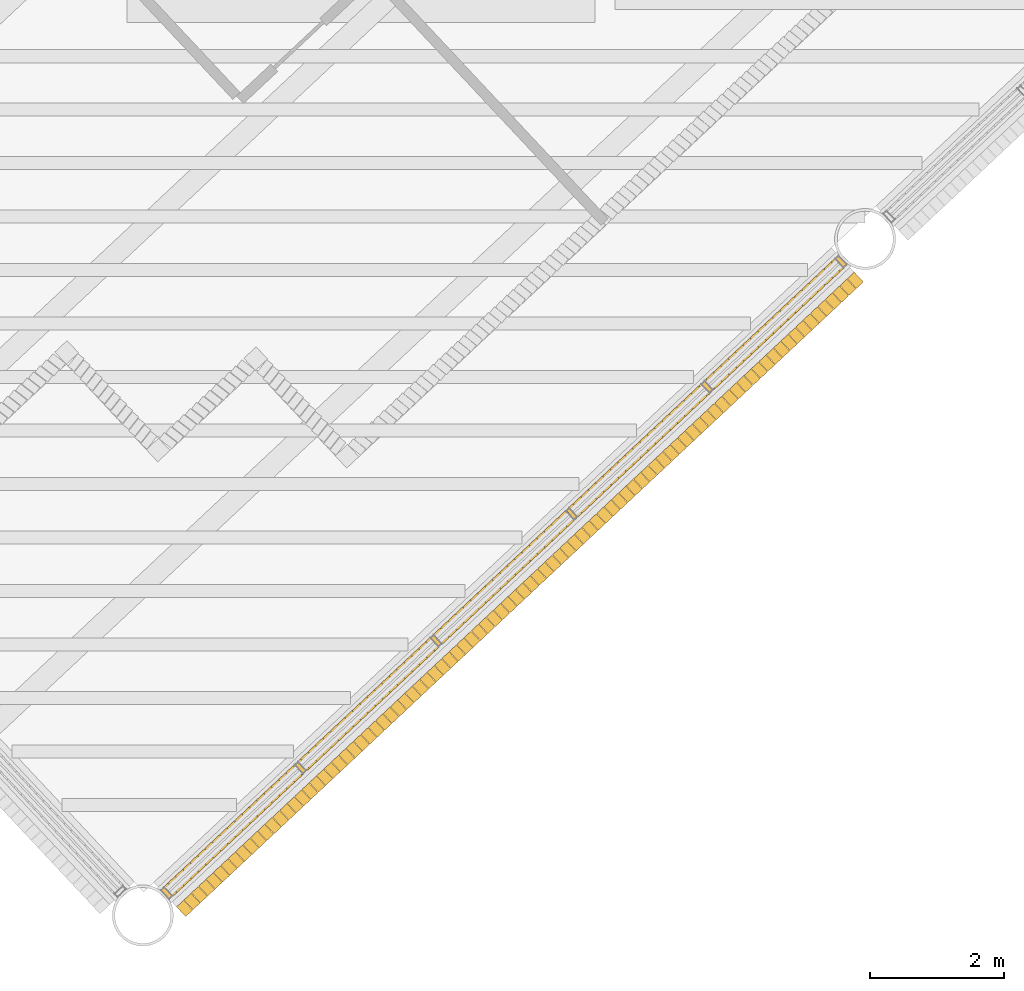
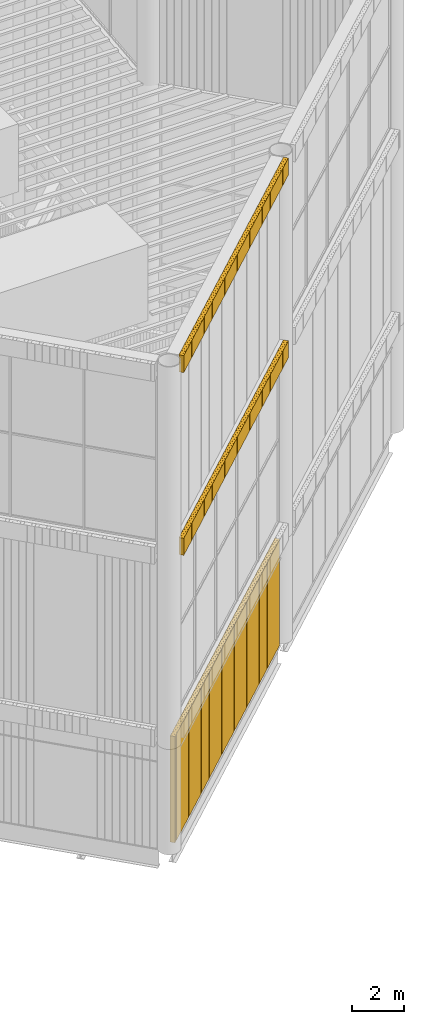
# One storey, part 97 of 117: 3 coverings.
"""IFC4 building model written with IfcOpenShell, lengths in metres."""

from ifc_helpers import new_model, si_unit, direction, frame, frame_2d, origin, place, context, subcontext, project, spatial, rectangle, composite_profile, extrude, material, type_object, element, save


model = new_model("IFC4")

# Units and contexts
model_context = context("Model", 3, precision=1e-05, world=origin(), true_north=direction((0.0, 1.0)))
body_context = subcontext(model_context, "Body", "Model", "MODEL_VIEW")
ifc_project = project(units=[si_unit("LENGTHUNIT", "METRE"), si_unit("AREAUNIT", "SQUARE_METRE"), si_unit("VOLUMEUNIT", "CUBIC_METRE"), si_unit("PLANEANGLEUNIT", "RADIAN"), si_unit("MASSUNIT", "GRAM", prefix="KILO")], contexts=[model_context])

# Site, building, storey
site_placement = place(None, origin())
site = spatial("IfcSite", under=ifc_project, at=site_placement, CompositionType="ELEMENT")
building_placement = place(site_placement, origin())
building = spatial("IfcBuilding", under=site, at=building_placement, Name="Tarsis Ring Headquarters", CompositionType="ELEMENT")
storey_placement = place(building_placement, frame((0.0, 0.0, 403.60009765625)))
storey = spatial("IfcBuildingStorey", under=building, at=storey_placement, Name="L95", CompositionType="ELEMENT", Elevation=403.60009765625)

# Coverings
ifc_material = material(Name="Terracotta louvre", Category="masonry")
covering_type = type_object("IfcCoveringType", Name="Crown louvre fin", PredefinedType="CLADDING", material=ifc_material)
covering_1_placement = place(storey_placement, frame((13.3173828125, -35.205078125, 0.0), z_axis=(0.0, 0.0, 1.0), x_axis=(0.729925980625, 0.683527612216, 0.0)))
element("IfcCovering", 1, at=covering_1_placement, inside=storey, type_object=covering_type, Name="Crown louvre base 3", PredefinedType="CLADDING", context=body_context, shape_type="SweptSolid", body=[
    extrude(composite_profile([rectangle(XDim=0.14501953125, YDim=0.199951171875, at=frame_2d((0.072509765625, 0.0))), rectangle(XDim=0.14501953125, YDim=0.199951171875, at=frame_2d((0.223388671875, 0.0))), rectangle(XDim=0.14501953125, YDim=0.199951171875, at=frame_2d((0.37451171875, 0.0))), rectangle(XDim=0.14501953125, YDim=0.199951171875, at=frame_2d((0.525390625, 0.0))), rectangle(XDim=0.14501953125, YDim=0.199951171875, at=frame_2d((0.676513671875, 0.0))), rectangle(XDim=0.14501953125, YDim=0.199951171875, at=frame_2d((0.827392578125, 0.0))), rectangle(XDim=0.14501953125, YDim=0.199951171875, at=frame_2d((0.978515625, 0.0))), rectangle(XDim=0.14501953125, YDim=0.199951171875, at=frame_2d((1.12939453125, 0.0))), rectangle(XDim=0.14501953125, YDim=0.199951171875, at=frame_2d((1.280517578125, 0.0))), rectangle(XDim=0.14501953125, YDim=0.199951171875, at=frame_2d((1.431396484375, 0.0))), rectangle(XDim=0.14501953125, YDim=0.199951171875, at=frame_2d((1.58251953125, 0.0))), rectangle(XDim=0.14501953125, YDim=0.199951171875, at=frame_2d((1.7333984375, 0.0))), rectangle(XDim=0.14501953125, YDim=0.199951171875, at=frame_2d((1.884521484375, 0.0))), rectangle(XDim=0.14501953125, YDim=0.199951171875, at=frame_2d((2.035400390625, 0.0))), rectangle(XDim=0.14501953125, YDim=0.199951171875, at=frame_2d((2.1865234375, 0.0))), rectangle(XDim=0.14501953125, YDim=0.199951171875, at=frame_2d((2.33740234375, 0.0))), rectangle(XDim=0.14501953125, YDim=0.199951171875, at=frame_2d((2.488525390625, 0.0))), rectangle(XDim=0.14501953125, YDim=0.199951171875, at=frame_2d((2.639404296875, 0.0))), rectangle(XDim=0.14501953125, YDim=0.199951171875, at=frame_2d((2.79052734375, 0.0))), rectangle(XDim=0.14501953125, YDim=0.199951171875, at=frame_2d((2.94140625, 0.0))), rectangle(XDim=0.14501953125, YDim=0.199951171875, at=frame_2d((3.092529296875, 0.0))), rectangle(XDim=0.14501953125, YDim=0.199951171875, at=frame_2d((3.243408203125, 0.0))), rectangle(XDim=0.14501953125, YDim=0.199951171875, at=frame_2d((3.39453125, 0.0))), rectangle(XDim=0.14501953125, YDim=0.199951171875, at=frame_2d((3.54541015625, 0.0))), rectangle(XDim=0.14501953125, YDim=0.199951171875, at=frame_2d((3.696533203125, 0.0))), rectangle(XDim=0.14501953125, YDim=0.199951171875, at=frame_2d((3.847412109375, 0.0))), rectangle(XDim=0.14501953125, YDim=0.199951171875, at=frame_2d((3.99853515625, 0.0))), rectangle(XDim=0.14501953125, YDim=0.199951171875, at=frame_2d((4.1494140625, 0.0))), rectangle(XDim=0.14501953125, YDim=0.199951171875, at=frame_2d((4.300537109375, 0.0))), rectangle(XDim=0.14501953125, YDim=0.199951171875, at=frame_2d((4.451416015625, 0.0))), rectangle(XDim=0.14501953125, YDim=0.199951171875, at=frame_2d((4.6025390625, 0.0))), rectangle(XDim=0.14501953125, YDim=0.199951171875, at=frame_2d((4.75341796875, 0.0))), rectangle(XDim=0.14501953125, YDim=0.199951171875, at=frame_2d((4.904541015625, 0.0))), rectangle(XDim=0.14501953125, YDim=0.199951171875, at=frame_2d((5.055419921875, 0.0))), rectangle(XDim=0.14501953125, YDim=0.199951171875, at=frame_2d((5.20654296875, 0.0))), rectangle(XDim=0.14501953125, YDim=0.199951171875, at=frame_2d((5.357421875, 0.0))), rectangle(XDim=0.14501953125, YDim=0.199951171875, at=frame_2d((5.508544921875, 0.0))), rectangle(XDim=0.14501953125, YDim=0.199951171875, at=frame_2d((5.659423828125, 0.0))), rectangle(XDim=0.14501953125, YDim=0.199951171875, at=frame_2d((5.810546875, 0.0))), rectangle(XDim=0.14501953125, YDim=0.199951171875, at=frame_2d((5.96142578125, 0.0))), rectangle(XDim=0.14501953125, YDim=0.199951171875, at=frame_2d((6.112548828125, 0.0))), rectangle(XDim=0.14501953125, YDim=0.199951171875, at=frame_2d((6.263427734375, 0.0))), rectangle(XDim=0.14501953125, YDim=0.199951171875, at=frame_2d((6.41455078125, 0.0))), rectangle(XDim=0.14501953125, YDim=0.199951171875, at=frame_2d((6.5654296875, 0.0))), rectangle(XDim=0.14501953125, YDim=0.199951171875, at=frame_2d((6.716552734375, 0.0))), rectangle(XDim=0.14501953125, YDim=0.199951171875, at=frame_2d((6.867431640625, 0.0))), rectangle(XDim=0.14501953125, YDim=0.199951171875, at=frame_2d((7.0185546875, 0.0))), rectangle(XDim=0.14501953125, YDim=0.199951171875, at=frame_2d((7.16943359375, 0.0))), rectangle(XDim=0.14501953125, YDim=0.199951171875, at=frame_2d((7.320556640625, 0.0))), rectangle(XDim=0.14501953125, YDim=0.199951171875, at=frame_2d((7.471435546875, 0.0))), rectangle(XDim=0.14501953125, YDim=0.199951171875, at=frame_2d((7.62255859375, 0.0))), rectangle(XDim=0.14501953125, YDim=0.199951171875, at=frame_2d((7.7734375, 0.0))), rectangle(XDim=0.14501953125, YDim=0.199951171875, at=frame_2d((7.924560546875, 0.0))), rectangle(XDim=0.14501953125, YDim=0.199951171875, at=frame_2d((8.075439453125, 0.0))), rectangle(XDim=0.14501953125, YDim=0.199951171875, at=frame_2d((8.2265625, 0.0))), rectangle(XDim=0.14501953125, YDim=0.199951171875, at=frame_2d((8.37744140625, 0.0))), rectangle(XDim=0.14501953125, YDim=0.199951171875, at=frame_2d((8.528564453125, 0.0))), rectangle(XDim=0.14501953125, YDim=0.199951171875, at=frame_2d((8.679443359375, 0.0))), rectangle(XDim=0.14501953125, YDim=0.199951171875, at=frame_2d((8.83056640625, 0.0))), rectangle(XDim=0.14501953125, YDim=0.199951171875, at=frame_2d((8.9814453125, 0.0))), rectangle(XDim=0.14501953125, YDim=0.199951171875, at=frame_2d((9.132568359375, 0.0))), rectangle(XDim=0.14501953125, YDim=0.199951171875, at=frame_2d((9.283447265625, 0.0))), rectangle(XDim=0.14501953125, YDim=0.199951171875, at=frame_2d((9.4345703125, 0.0))), rectangle(XDim=0.14501953125, YDim=0.199951171875, at=frame_2d((9.58544921875, 0.0))), rectangle(XDim=0.14501953125, YDim=0.199951171875, at=frame_2d((9.736572265625, 0.0))), rectangle(XDim=0.14501953125, YDim=0.199951171875, at=frame_2d((9.887451171875, 0.0))), rectangle(XDim=0.14501953125, YDim=0.199951171875, at=frame_2d((10.03857421875, 0.0))), rectangle(XDim=0.14501953125, YDim=0.199951171875, at=frame_2d((10.189453125, 0.0))), rectangle(XDim=0.14501953125, YDim=0.199951171875, at=frame_2d((10.340576171875, 0.0))), rectangle(XDim=0.14501953125, YDim=0.199951171875, at=frame_2d((10.491455078125, 0.0))), rectangle(XDim=0.14501953125, YDim=0.199951171875, at=frame_2d((10.642578125, 0.0))), rectangle(XDim=0.14501953125, YDim=0.199951171875, at=frame_2d((10.79345703125, 0.0))), rectangle(XDim=0.14501953125, YDim=0.199951171875, at=frame_2d((10.944580078125, 0.0))), rectangle(XDim=0.14501953125, YDim=0.199951171875, at=frame_2d((11.095458984375, 0.0))), rectangle(XDim=0.14501953125, YDim=0.199951171875, at=frame_2d((11.24658203125, 0.0))), rectangle(XDim=0.14501953125, YDim=0.199951171875, at=frame_2d((11.3974609375, 0.0))), rectangle(XDim=0.14501953125, YDim=0.199951171875, at=frame_2d((11.548583984375, 0.0))), rectangle(XDim=0.14501953125, YDim=0.199951171875, at=frame_2d((11.699462890625, 0.0))), rectangle(XDim=0.14501953125, YDim=0.199951171875, at=frame_2d((11.8505859375, 0.0))), rectangle(XDim=0.14501953125, YDim=0.199951171875, at=frame_2d((12.00146484375, 0.0))), rectangle(XDim=0.14501953125, YDim=0.199951171875, at=frame_2d((12.152587890625, 0.0))), rectangle(XDim=0.14501953125, YDim=0.199951171875, at=frame_2d((12.303466796875, 0.0))), rectangle(XDim=0.14501953125, YDim=0.199951171875, at=frame_2d((12.45458984375, 0.0))), rectangle(XDim=0.14501953125, YDim=0.199951171875, at=frame_2d((12.60546875, 0.0))), rectangle(XDim=0.14501953125, YDim=0.199951171875, at=frame_2d((12.756591796875, 0.0))), rectangle(XDim=0.14501953125, YDim=0.199951171875, at=frame_2d((12.907470703125, 0.0))), rectangle(XDim=0.14501953125, YDim=0.199951171875, at=frame_2d((13.05859375, 0.0))), rectangle(XDim=0.14501953125, YDim=0.199951171875, at=frame_2d((13.20947265625, 0.0))), rectangle(XDim=0.14501953125, YDim=0.199951171875, at=frame_2d((13.360595703125, 0.0))), rectangle(XDim=0.14501953125, YDim=0.199951171875, at=frame_2d((13.511474609375, 0.0))), rectangle(XDim=0.14501953125, YDim=0.199951171875, at=frame_2d((13.66259765625, 0.0))), rectangle(XDim=0.14501953125, YDim=0.199951171875, at=frame_2d((13.8134765625, 0.0)))]), origin(), (0.0, 0.0, 1.0), 5.0),
])
covering_2_placement = place(storey_placement, frame((13.556640625, -35.460693359375, 13.599853515625), z_axis=(0.0, 0.0, 1.0), x_axis=(0.729925980625, 0.683527612216, 0.0)))
element("IfcCovering", 2, at=covering_2_placement, inside=storey, type_object=covering_type, Name="Crown louvre fascia M3", PredefinedType="CLADDING", context=body_context, shape_type="SweptSolid", body=[
    extrude(composite_profile([rectangle(XDim=0.14501953125, YDim=0.199951171875, at=frame_2d((0.072509765625, 0.0))), rectangle(XDim=0.14501953125, YDim=0.199951171875, at=frame_2d((0.223388671875, 0.0))), rectangle(XDim=0.14501953125, YDim=0.199951171875, at=frame_2d((0.37451171875, 0.0))), rectangle(XDim=0.14501953125, YDim=0.199951171875, at=frame_2d((0.525390625, 0.0))), rectangle(XDim=0.14501953125, YDim=0.199951171875, at=frame_2d((0.676513671875, 0.0))), rectangle(XDim=0.14501953125, YDim=0.199951171875, at=frame_2d((0.827392578125, 0.0))), rectangle(XDim=0.14501953125, YDim=0.199951171875, at=frame_2d((0.978515625, 0.0))), rectangle(XDim=0.14501953125, YDim=0.199951171875, at=frame_2d((1.12939453125, 0.0))), rectangle(XDim=0.14501953125, YDim=0.199951171875, at=frame_2d((1.280517578125, 0.0))), rectangle(XDim=0.14501953125, YDim=0.199951171875, at=frame_2d((1.431396484375, 0.0))), rectangle(XDim=0.14501953125, YDim=0.199951171875, at=frame_2d((1.58251953125, 0.0))), rectangle(XDim=0.14501953125, YDim=0.199951171875, at=frame_2d((1.7333984375, 0.0))), rectangle(XDim=0.14501953125, YDim=0.199951171875, at=frame_2d((1.884521484375, 0.0))), rectangle(XDim=0.14501953125, YDim=0.199951171875, at=frame_2d((2.035400390625, 0.0))), rectangle(XDim=0.14501953125, YDim=0.199951171875, at=frame_2d((2.1865234375, 0.0))), rectangle(XDim=0.14501953125, YDim=0.199951171875, at=frame_2d((2.33740234375, 0.0))), rectangle(XDim=0.14501953125, YDim=0.199951171875, at=frame_2d((2.488525390625, 0.0))), rectangle(XDim=0.14501953125, YDim=0.199951171875, at=frame_2d((2.639404296875, 0.0))), rectangle(XDim=0.14501953125, YDim=0.199951171875, at=frame_2d((2.79052734375, 0.0))), rectangle(XDim=0.14501953125, YDim=0.199951171875, at=frame_2d((2.94140625, 0.0))), rectangle(XDim=0.14501953125, YDim=0.199951171875, at=frame_2d((3.092529296875, 0.0))), rectangle(XDim=0.14501953125, YDim=0.199951171875, at=frame_2d((3.243408203125, 0.0))), rectangle(XDim=0.14501953125, YDim=0.199951171875, at=frame_2d((3.39453125, 0.0))), rectangle(XDim=0.14501953125, YDim=0.199951171875, at=frame_2d((3.54541015625, 0.0))), rectangle(XDim=0.14501953125, YDim=0.199951171875, at=frame_2d((3.696533203125, 0.0))), rectangle(XDim=0.14501953125, YDim=0.199951171875, at=frame_2d((3.847412109375, 0.0))), rectangle(XDim=0.14501953125, YDim=0.199951171875, at=frame_2d((3.99853515625, 0.0))), rectangle(XDim=0.14501953125, YDim=0.199951171875, at=frame_2d((4.1494140625, 0.0))), rectangle(XDim=0.14501953125, YDim=0.199951171875, at=frame_2d((4.300537109375, 0.0))), rectangle(XDim=0.14501953125, YDim=0.199951171875, at=frame_2d((4.451416015625, 0.0))), rectangle(XDim=0.14501953125, YDim=0.199951171875, at=frame_2d((4.6025390625, 0.0))), rectangle(XDim=0.14501953125, YDim=0.199951171875, at=frame_2d((4.75341796875, 0.0))), rectangle(XDim=0.14501953125, YDim=0.199951171875, at=frame_2d((4.904541015625, 0.0))), rectangle(XDim=0.14501953125, YDim=0.199951171875, at=frame_2d((5.055419921875, 0.0))), rectangle(XDim=0.14501953125, YDim=0.199951171875, at=frame_2d((5.20654296875, 0.0))), rectangle(XDim=0.14501953125, YDim=0.199951171875, at=frame_2d((5.357421875, 0.0))), rectangle(XDim=0.14501953125, YDim=0.199951171875, at=frame_2d((5.508544921875, 0.0))), rectangle(XDim=0.14501953125, YDim=0.199951171875, at=frame_2d((5.659423828125, 0.0))), rectangle(XDim=0.14501953125, YDim=0.199951171875, at=frame_2d((5.810546875, 0.0))), rectangle(XDim=0.14501953125, YDim=0.199951171875, at=frame_2d((5.96142578125, 0.0))), rectangle(XDim=0.14501953125, YDim=0.199951171875, at=frame_2d((6.112548828125, 0.0))), rectangle(XDim=0.14501953125, YDim=0.199951171875, at=frame_2d((6.263427734375, 0.0))), rectangle(XDim=0.14501953125, YDim=0.199951171875, at=frame_2d((6.41455078125, 0.0))), rectangle(XDim=0.14501953125, YDim=0.199951171875, at=frame_2d((6.5654296875, 0.0))), rectangle(XDim=0.14501953125, YDim=0.199951171875, at=frame_2d((6.716552734375, 0.0))), rectangle(XDim=0.14501953125, YDim=0.199951171875, at=frame_2d((6.867431640625, 0.0))), rectangle(XDim=0.14501953125, YDim=0.199951171875, at=frame_2d((7.0185546875, 0.0))), rectangle(XDim=0.14501953125, YDim=0.199951171875, at=frame_2d((7.16943359375, 0.0))), rectangle(XDim=0.14501953125, YDim=0.199951171875, at=frame_2d((7.320556640625, 0.0))), rectangle(XDim=0.14501953125, YDim=0.199951171875, at=frame_2d((7.471435546875, 0.0))), rectangle(XDim=0.14501953125, YDim=0.199951171875, at=frame_2d((7.62255859375, 0.0))), rectangle(XDim=0.14501953125, YDim=0.199951171875, at=frame_2d((7.7734375, 0.0))), rectangle(XDim=0.14501953125, YDim=0.199951171875, at=frame_2d((7.924560546875, 0.0))), rectangle(XDim=0.14501953125, YDim=0.199951171875, at=frame_2d((8.075439453125, 0.0))), rectangle(XDim=0.14501953125, YDim=0.199951171875, at=frame_2d((8.2265625, 0.0))), rectangle(XDim=0.14501953125, YDim=0.199951171875, at=frame_2d((8.37744140625, 0.0))), rectangle(XDim=0.14501953125, YDim=0.199951171875, at=frame_2d((8.528564453125, 0.0))), rectangle(XDim=0.14501953125, YDim=0.199951171875, at=frame_2d((8.679443359375, 0.0))), rectangle(XDim=0.14501953125, YDim=0.199951171875, at=frame_2d((8.83056640625, 0.0))), rectangle(XDim=0.14501953125, YDim=0.199951171875, at=frame_2d((8.9814453125, 0.0))), rectangle(XDim=0.14501953125, YDim=0.199951171875, at=frame_2d((9.132568359375, 0.0))), rectangle(XDim=0.14501953125, YDim=0.199951171875, at=frame_2d((9.283447265625, 0.0))), rectangle(XDim=0.14501953125, YDim=0.199951171875, at=frame_2d((9.4345703125, 0.0))), rectangle(XDim=0.14501953125, YDim=0.199951171875, at=frame_2d((9.58544921875, 0.0))), rectangle(XDim=0.14501953125, YDim=0.199951171875, at=frame_2d((9.736572265625, 0.0))), rectangle(XDim=0.14501953125, YDim=0.199951171875, at=frame_2d((9.887451171875, 0.0))), rectangle(XDim=0.14501953125, YDim=0.199951171875, at=frame_2d((10.03857421875, 0.0))), rectangle(XDim=0.14501953125, YDim=0.199951171875, at=frame_2d((10.189453125, 0.0))), rectangle(XDim=0.14501953125, YDim=0.199951171875, at=frame_2d((10.340576171875, 0.0))), rectangle(XDim=0.14501953125, YDim=0.199951171875, at=frame_2d((10.491455078125, 0.0))), rectangle(XDim=0.14501953125, YDim=0.199951171875, at=frame_2d((10.642578125, 0.0))), rectangle(XDim=0.14501953125, YDim=0.199951171875, at=frame_2d((10.79345703125, 0.0))), rectangle(XDim=0.14501953125, YDim=0.199951171875, at=frame_2d((10.944580078125, 0.0))), rectangle(XDim=0.14501953125, YDim=0.199951171875, at=frame_2d((11.095458984375, 0.0))), rectangle(XDim=0.14501953125, YDim=0.199951171875, at=frame_2d((11.24658203125, 0.0))), rectangle(XDim=0.14501953125, YDim=0.199951171875, at=frame_2d((11.3974609375, 0.0))), rectangle(XDim=0.14501953125, YDim=0.199951171875, at=frame_2d((11.548583984375, 0.0))), rectangle(XDim=0.14501953125, YDim=0.199951171875, at=frame_2d((11.699462890625, 0.0))), rectangle(XDim=0.14501953125, YDim=0.199951171875, at=frame_2d((11.8505859375, 0.0))), rectangle(XDim=0.14501953125, YDim=0.199951171875, at=frame_2d((12.00146484375, 0.0))), rectangle(XDim=0.14501953125, YDim=0.199951171875, at=frame_2d((12.152587890625, 0.0))), rectangle(XDim=0.14501953125, YDim=0.199951171875, at=frame_2d((12.303466796875, 0.0))), rectangle(XDim=0.14501953125, YDim=0.199951171875, at=frame_2d((12.45458984375, 0.0))), rectangle(XDim=0.14501953125, YDim=0.199951171875, at=frame_2d((12.60546875, 0.0))), rectangle(XDim=0.14501953125, YDim=0.199951171875, at=frame_2d((12.756591796875, 0.0))), rectangle(XDim=0.14501953125, YDim=0.199951171875, at=frame_2d((12.907470703125, 0.0))), rectangle(XDim=0.14501953125, YDim=0.199951171875, at=frame_2d((13.05859375, 0.0))), rectangle(XDim=0.14501953125, YDim=0.199951171875, at=frame_2d((13.20947265625, 0.0))), rectangle(XDim=0.14501953125, YDim=0.199951171875, at=frame_2d((13.360595703125, 0.0))), rectangle(XDim=0.14501953125, YDim=0.199951171875, at=frame_2d((13.511474609375, 0.0))), rectangle(XDim=0.14501953125, YDim=0.199951171875, at=frame_2d((13.66259765625, 0.0))), rectangle(XDim=0.14501953125, YDim=0.199951171875, at=frame_2d((13.8134765625, 0.0)))]), origin(), (0.0, 0.0, 1.0), 0.800048828125),
])
covering_3_placement = place(storey_placement, frame((13.556640625, -35.460693359375, 22.199951171875), z_axis=(0.0, 0.0, 1.0), x_axis=(0.729925980625, 0.683527612216, 0.0)))
element("IfcCovering", 3, at=covering_3_placement, inside=storey, type_object=covering_type, Name="Crown louvre fascia T3", PredefinedType="CLADDING", context=body_context, shape_type="SweptSolid", body=[
    extrude(composite_profile([rectangle(XDim=0.14501953125, YDim=0.199951171875, at=frame_2d((0.072509765625, 0.0))), rectangle(XDim=0.14501953125, YDim=0.199951171875, at=frame_2d((0.223388671875, 0.0))), rectangle(XDim=0.14501953125, YDim=0.199951171875, at=frame_2d((0.37451171875, 0.0))), rectangle(XDim=0.14501953125, YDim=0.199951171875, at=frame_2d((0.525390625, 0.0))), rectangle(XDim=0.14501953125, YDim=0.199951171875, at=frame_2d((0.676513671875, 0.0))), rectangle(XDim=0.14501953125, YDim=0.199951171875, at=frame_2d((0.827392578125, 0.0))), rectangle(XDim=0.14501953125, YDim=0.199951171875, at=frame_2d((0.978515625, 0.0))), rectangle(XDim=0.14501953125, YDim=0.199951171875, at=frame_2d((1.12939453125, 0.0))), rectangle(XDim=0.14501953125, YDim=0.199951171875, at=frame_2d((1.280517578125, 0.0))), rectangle(XDim=0.14501953125, YDim=0.199951171875, at=frame_2d((1.431396484375, 0.0))), rectangle(XDim=0.14501953125, YDim=0.199951171875, at=frame_2d((1.58251953125, 0.0))), rectangle(XDim=0.14501953125, YDim=0.199951171875, at=frame_2d((1.7333984375, 0.0))), rectangle(XDim=0.14501953125, YDim=0.199951171875, at=frame_2d((1.884521484375, 0.0))), rectangle(XDim=0.14501953125, YDim=0.199951171875, at=frame_2d((2.035400390625, 0.0))), rectangle(XDim=0.14501953125, YDim=0.199951171875, at=frame_2d((2.1865234375, 0.0))), rectangle(XDim=0.14501953125, YDim=0.199951171875, at=frame_2d((2.33740234375, 0.0))), rectangle(XDim=0.14501953125, YDim=0.199951171875, at=frame_2d((2.488525390625, 0.0))), rectangle(XDim=0.14501953125, YDim=0.199951171875, at=frame_2d((2.639404296875, 0.0))), rectangle(XDim=0.14501953125, YDim=0.199951171875, at=frame_2d((2.79052734375, 0.0))), rectangle(XDim=0.14501953125, YDim=0.199951171875, at=frame_2d((2.94140625, 0.0))), rectangle(XDim=0.14501953125, YDim=0.199951171875, at=frame_2d((3.092529296875, 0.0))), rectangle(XDim=0.14501953125, YDim=0.199951171875, at=frame_2d((3.243408203125, 0.0))), rectangle(XDim=0.14501953125, YDim=0.199951171875, at=frame_2d((3.39453125, 0.0))), rectangle(XDim=0.14501953125, YDim=0.199951171875, at=frame_2d((3.54541015625, 0.0))), rectangle(XDim=0.14501953125, YDim=0.199951171875, at=frame_2d((3.696533203125, 0.0))), rectangle(XDim=0.14501953125, YDim=0.199951171875, at=frame_2d((3.847412109375, 0.0))), rectangle(XDim=0.14501953125, YDim=0.199951171875, at=frame_2d((3.99853515625, 0.0))), rectangle(XDim=0.14501953125, YDim=0.199951171875, at=frame_2d((4.1494140625, 0.0))), rectangle(XDim=0.14501953125, YDim=0.199951171875, at=frame_2d((4.300537109375, 0.0))), rectangle(XDim=0.14501953125, YDim=0.199951171875, at=frame_2d((4.451416015625, 0.0))), rectangle(XDim=0.14501953125, YDim=0.199951171875, at=frame_2d((4.6025390625, 0.0))), rectangle(XDim=0.14501953125, YDim=0.199951171875, at=frame_2d((4.75341796875, 0.0))), rectangle(XDim=0.14501953125, YDim=0.199951171875, at=frame_2d((4.904541015625, 0.0))), rectangle(XDim=0.14501953125, YDim=0.199951171875, at=frame_2d((5.055419921875, 0.0))), rectangle(XDim=0.14501953125, YDim=0.199951171875, at=frame_2d((5.20654296875, 0.0))), rectangle(XDim=0.14501953125, YDim=0.199951171875, at=frame_2d((5.357421875, 0.0))), rectangle(XDim=0.14501953125, YDim=0.199951171875, at=frame_2d((5.508544921875, 0.0))), rectangle(XDim=0.14501953125, YDim=0.199951171875, at=frame_2d((5.659423828125, 0.0))), rectangle(XDim=0.14501953125, YDim=0.199951171875, at=frame_2d((5.810546875, 0.0))), rectangle(XDim=0.14501953125, YDim=0.199951171875, at=frame_2d((5.96142578125, 0.0))), rectangle(XDim=0.14501953125, YDim=0.199951171875, at=frame_2d((6.112548828125, 0.0))), rectangle(XDim=0.14501953125, YDim=0.199951171875, at=frame_2d((6.263427734375, 0.0))), rectangle(XDim=0.14501953125, YDim=0.199951171875, at=frame_2d((6.41455078125, 0.0))), rectangle(XDim=0.14501953125, YDim=0.199951171875, at=frame_2d((6.5654296875, 0.0))), rectangle(XDim=0.14501953125, YDim=0.199951171875, at=frame_2d((6.716552734375, 0.0))), rectangle(XDim=0.14501953125, YDim=0.199951171875, at=frame_2d((6.867431640625, 0.0))), rectangle(XDim=0.14501953125, YDim=0.199951171875, at=frame_2d((7.0185546875, 0.0))), rectangle(XDim=0.14501953125, YDim=0.199951171875, at=frame_2d((7.16943359375, 0.0))), rectangle(XDim=0.14501953125, YDim=0.199951171875, at=frame_2d((7.320556640625, 0.0))), rectangle(XDim=0.14501953125, YDim=0.199951171875, at=frame_2d((7.471435546875, 0.0))), rectangle(XDim=0.14501953125, YDim=0.199951171875, at=frame_2d((7.62255859375, 0.0))), rectangle(XDim=0.14501953125, YDim=0.199951171875, at=frame_2d((7.7734375, 0.0))), rectangle(XDim=0.14501953125, YDim=0.199951171875, at=frame_2d((7.924560546875, 0.0))), rectangle(XDim=0.14501953125, YDim=0.199951171875, at=frame_2d((8.075439453125, 0.0))), rectangle(XDim=0.14501953125, YDim=0.199951171875, at=frame_2d((8.2265625, 0.0))), rectangle(XDim=0.14501953125, YDim=0.199951171875, at=frame_2d((8.37744140625, 0.0))), rectangle(XDim=0.14501953125, YDim=0.199951171875, at=frame_2d((8.528564453125, 0.0))), rectangle(XDim=0.14501953125, YDim=0.199951171875, at=frame_2d((8.679443359375, 0.0))), rectangle(XDim=0.14501953125, YDim=0.199951171875, at=frame_2d((8.83056640625, 0.0))), rectangle(XDim=0.14501953125, YDim=0.199951171875, at=frame_2d((8.9814453125, 0.0))), rectangle(XDim=0.14501953125, YDim=0.199951171875, at=frame_2d((9.132568359375, 0.0))), rectangle(XDim=0.14501953125, YDim=0.199951171875, at=frame_2d((9.283447265625, 0.0))), rectangle(XDim=0.14501953125, YDim=0.199951171875, at=frame_2d((9.4345703125, 0.0))), rectangle(XDim=0.14501953125, YDim=0.199951171875, at=frame_2d((9.58544921875, 0.0))), rectangle(XDim=0.14501953125, YDim=0.199951171875, at=frame_2d((9.736572265625, 0.0))), rectangle(XDim=0.14501953125, YDim=0.199951171875, at=frame_2d((9.887451171875, 0.0))), rectangle(XDim=0.14501953125, YDim=0.199951171875, at=frame_2d((10.03857421875, 0.0))), rectangle(XDim=0.14501953125, YDim=0.199951171875, at=frame_2d((10.189453125, 0.0))), rectangle(XDim=0.14501953125, YDim=0.199951171875, at=frame_2d((10.340576171875, 0.0))), rectangle(XDim=0.14501953125, YDim=0.199951171875, at=frame_2d((10.491455078125, 0.0))), rectangle(XDim=0.14501953125, YDim=0.199951171875, at=frame_2d((10.642578125, 0.0))), rectangle(XDim=0.14501953125, YDim=0.199951171875, at=frame_2d((10.79345703125, 0.0))), rectangle(XDim=0.14501953125, YDim=0.199951171875, at=frame_2d((10.944580078125, 0.0))), rectangle(XDim=0.14501953125, YDim=0.199951171875, at=frame_2d((11.095458984375, 0.0))), rectangle(XDim=0.14501953125, YDim=0.199951171875, at=frame_2d((11.24658203125, 0.0))), rectangle(XDim=0.14501953125, YDim=0.199951171875, at=frame_2d((11.3974609375, 0.0))), rectangle(XDim=0.14501953125, YDim=0.199951171875, at=frame_2d((11.548583984375, 0.0))), rectangle(XDim=0.14501953125, YDim=0.199951171875, at=frame_2d((11.699462890625, 0.0))), rectangle(XDim=0.14501953125, YDim=0.199951171875, at=frame_2d((11.8505859375, 0.0))), rectangle(XDim=0.14501953125, YDim=0.199951171875, at=frame_2d((12.00146484375, 0.0))), rectangle(XDim=0.14501953125, YDim=0.199951171875, at=frame_2d((12.152587890625, 0.0))), rectangle(XDim=0.14501953125, YDim=0.199951171875, at=frame_2d((12.303466796875, 0.0))), rectangle(XDim=0.14501953125, YDim=0.199951171875, at=frame_2d((12.45458984375, 0.0))), rectangle(XDim=0.14501953125, YDim=0.199951171875, at=frame_2d((12.60546875, 0.0))), rectangle(XDim=0.14501953125, YDim=0.199951171875, at=frame_2d((12.756591796875, 0.0))), rectangle(XDim=0.14501953125, YDim=0.199951171875, at=frame_2d((12.907470703125, 0.0))), rectangle(XDim=0.14501953125, YDim=0.199951171875, at=frame_2d((13.05859375, 0.0))), rectangle(XDim=0.14501953125, YDim=0.199951171875, at=frame_2d((13.20947265625, 0.0))), rectangle(XDim=0.14501953125, YDim=0.199951171875, at=frame_2d((13.360595703125, 0.0))), rectangle(XDim=0.14501953125, YDim=0.199951171875, at=frame_2d((13.511474609375, 0.0))), rectangle(XDim=0.14501953125, YDim=0.199951171875, at=frame_2d((13.66259765625, 0.0))), rectangle(XDim=0.14501953125, YDim=0.199951171875, at=frame_2d((13.8134765625, 0.0)))]), origin(), (0.0, 0.0, 1.0), 0.800048828125),
])

save(model, "model.ifc")
